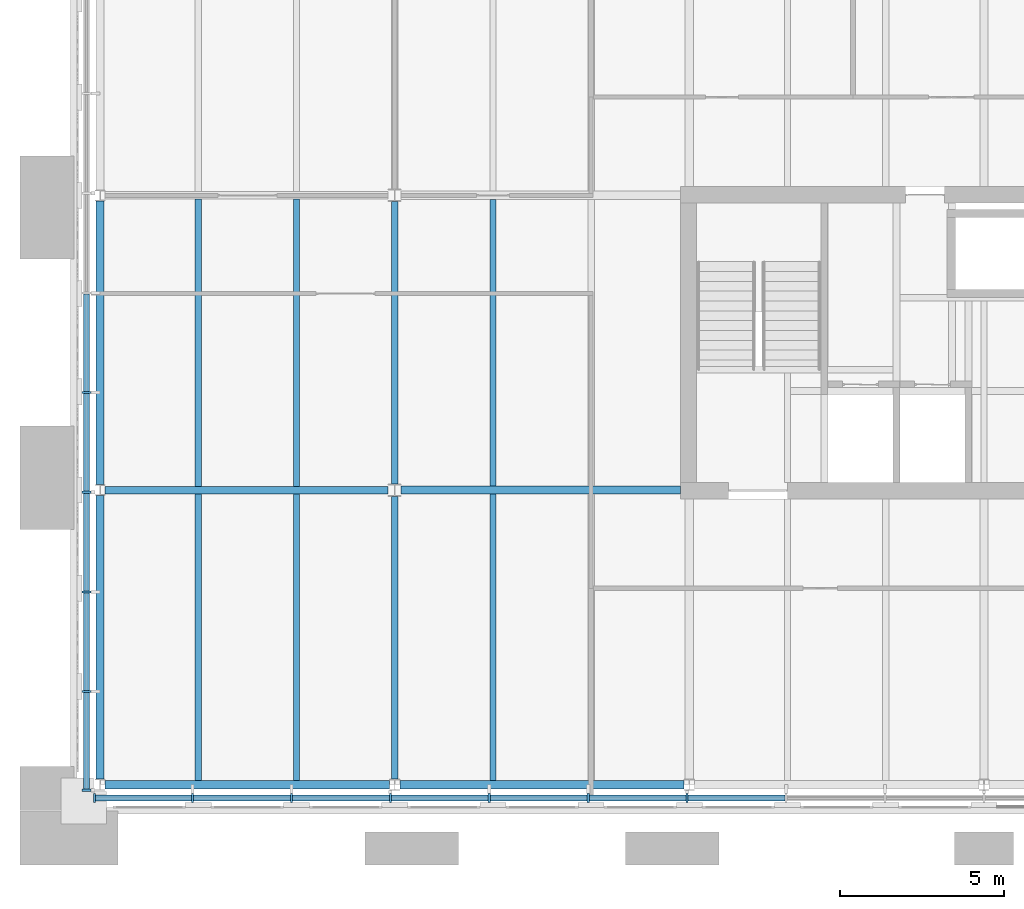
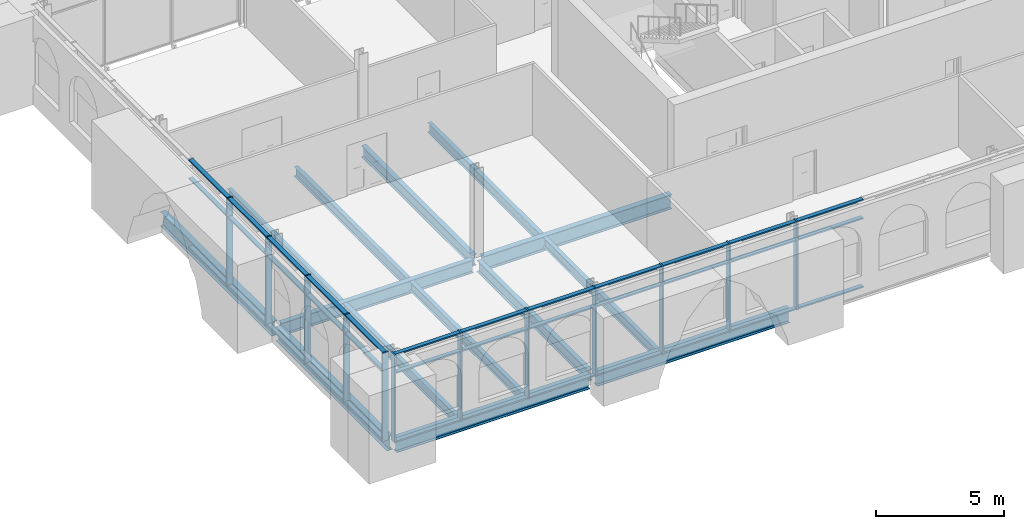
# One storey, part 3 of 22: 48 members, 14 beams, 2 elements without a shape of their own.
"""IFC4 building model written with IfcOpenShell, lengths in metres."""

from ifc_helpers import new_model, si_unit, direction, frame, origin, origin_2d, place, context, subcontext, project, spatial, rectangle, i_section, extrude, material, material_profile, profile_set, type_object, element, aggregate, save


model = new_model("IFC4")

# Units and contexts
model_context = context("Model", 3, precision=1e-05, world=origin(), true_north=direction((0.0, 1.0)))
body_context = subcontext(model_context, "Body", "Model", "MODEL_VIEW")
ifc_project = project(units=[si_unit("LENGTHUNIT", "METRE"), si_unit("AREAUNIT", "SQUARE_METRE"), si_unit("VOLUMEUNIT", "CUBIC_METRE"), si_unit("PLANEANGLEUNIT", "RADIAN"), si_unit("MASSUNIT", "GRAM", prefix="KILO")], contexts=[model_context])

# Site, building, storey
site_placement = place(None, origin())
site = spatial("IfcSite", under=ifc_project, at=site_placement, CompositionType="ELEMENT")
building_placement = place(site_placement, origin())
building = spatial("IfcBuilding", under=site, at=building_placement, Name="Baradari Gate Terminus", CompositionType="ELEMENT")
storey_placement = place(building_placement, frame((0.0, 0.0, 28.5)))
storey = spatial("IfcBuildingStorey", under=building, at=storey_placement, Name="L06", CompositionType="ELEMENT", Elevation=28.5)

# Curtain wall, members
ifc_material_1 = material(Name="Aluminium 6063-T6", Category="aluminium")
curtain_wall_type = type_object("IfcCurtainWallType", Name="Curtain wall CW-12 block arcade floors, L06-L07", PredefinedType="NOTDEFINED", material=ifc_material_1)
curtain_wall_1_placement = place(storey_placement, origin())
curtain_wall_1 = element("IfcCurtainWall", 1, at=curtain_wall_1_placement, inside=storey, type_object=curtain_wall_type, Name="Curtain wall CW-12 Operations block S face L06", PredefinedType="NOTDEFINED")
ifc_material_2 = material(Name="Aluminium 6063-T6", Category="aluminium")
ifc_material_profile_1 = material_profile(ifc_material_2, rectangle(XDim=0.27490234375, YDim=0.06494140625, at=origin_2d()), Name="CM-12 65X275")
ifc_profile_set_1 = profile_set([ifc_material_profile_1], Name="Aluminium 6063-T6")
member_type_1 = type_object("IfcMemberType", Name="Curtain wall mullion CM-12 65x275", PredefinedType="MULLION", material=ifc_profile_set_1)
member_1_placement = place(storey_placement, frame((8.83251953125, 116.592529296875, 0.0), z_axis=(0.0, 0.0, 1.0), x_axis=(0.0, 1.0, 0.0)))
member_1 = element("IfcMember", 2, at=member_1_placement, type_object=member_type_1, Name="CW-12 mullion 1", PredefinedType="MULLION", context=body_context, shape_type="SweptSolid", body=[
    extrude(rectangle(XDim=0.27490234375, YDim=0.06494140625, at=origin_2d()), origin(), (0.0, 0.0, 1.0), 4.199951171875),
])
member_2_placement = place(storey_placement, frame((11.822265625, 116.592529296875, 0.0), z_axis=(0.0, 0.0, 1.0), x_axis=(0.0, 1.0, 0.0)))
member_2 = element("IfcMember", 3, at=member_2_placement, type_object=member_type_1, Name="CW-12 mullion 2", PredefinedType="MULLION", context=body_context, shape_type="SweptSolid", body=[
    extrude(rectangle(XDim=0.27490234375, YDim=0.06494140625, at=origin_2d()), origin(), (0.0, 0.0, 1.0), 4.199951171875),
])
member_3_placement = place(storey_placement, frame((14.844482421875, 116.592529296875, 0.0), z_axis=(0.0, 0.0, 1.0), x_axis=(0.0, 1.0, 0.0)))
member_3 = element("IfcMember", 4, at=member_3_placement, type_object=member_type_1, Name="CW-12 mullion 3", PredefinedType="MULLION", context=body_context, shape_type="SweptSolid", body=[
    extrude(rectangle(XDim=0.27490234375, YDim=0.06494140625, at=origin_2d()), origin(), (0.0, 0.0, 1.0), 4.199951171875),
])
member_4_placement = place(storey_placement, frame((17.86669921875, 116.592529296875, 0.0), z_axis=(0.0, 0.0, 1.0), x_axis=(0.0, 1.0, 0.0)))
member_4 = element("IfcMember", 5, at=member_4_placement, type_object=member_type_1, Name="CW-12 mullion 4", PredefinedType="MULLION", context=body_context, shape_type="SweptSolid", body=[
    extrude(rectangle(XDim=0.27490234375, YDim=0.06494140625, at=origin_2d()), origin(), (0.0, 0.0, 1.0), 4.199951171875),
])
member_5_placement = place(storey_placement, frame((20.888916015625, 116.592529296875, 0.0), z_axis=(0.0, 0.0, 1.0), x_axis=(0.0, 1.0, 0.0)))
member_5 = element("IfcMember", 6, at=member_5_placement, type_object=member_type_1, Name="CW-12 mullion 5", PredefinedType="MULLION", context=body_context, shape_type="SweptSolid", body=[
    extrude(rectangle(XDim=0.27490234375, YDim=0.06494140625, at=origin_2d()), origin(), (0.0, 0.0, 1.0), 4.199951171875),
])
member_6_placement = place(storey_placement, frame((23.9111328125, 116.592529296875, 0.0), z_axis=(0.0, 0.0, 1.0), x_axis=(0.0, 1.0, 0.0)))
member_6 = element("IfcMember", 7, at=member_6_placement, type_object=member_type_1, Name="CW-12 mullion 6", PredefinedType="MULLION", context=body_context, shape_type="SweptSolid", body=[
    extrude(rectangle(XDim=0.27490234375, YDim=0.06494140625, at=origin_2d()), origin(), (0.0, 0.0, 1.0), 4.199951171875),
])
member_7_placement = place(storey_placement, frame((26.933349609375, 116.592529296875, 0.0), z_axis=(0.0, 0.0, 1.0), x_axis=(0.0, 1.0, 0.0)))
member_7 = element("IfcMember", 8, at=member_7_placement, type_object=member_type_1, Name="CW-12 mullion 7", PredefinedType="MULLION", context=body_context, shape_type="SweptSolid", body=[
    extrude(rectangle(XDim=0.27490234375, YDim=0.06494140625, at=origin_2d()), origin(), (0.0, 0.0, 1.0), 4.199951171875),
])

curtain_wall_2_placement = place(storey_placement, origin())
curtain_wall_2 = element("IfcCurtainWall", 9, at=curtain_wall_2_placement, inside=storey, type_object=curtain_wall_type, Name="Curtain wall CW-12 Operations block W face L06", PredefinedType="NOTDEFINED")
member_8_placement = place(storey_placement, frame((8.592529296875, 128.977783203125, 0.0), z_axis=(0.0, 0.0, 1.0), x_axis=(1.0, 0.0, 0.0)))
member_8 = element("IfcMember", 10, at=member_8_placement, type_object=member_type_1, Name="CW-12 mullion 6", PredefinedType="MULLION", context=body_context, shape_type="SweptSolid", body=[
    extrude(rectangle(XDim=0.27490234375, YDim=0.06494140625, at=origin_2d()), origin(), (0.0, 0.0, 1.0), 4.199951171875),
])
member_9_placement = place(storey_placement, frame((8.592529296875, 125.933349609375, 0.0), z_axis=(0.0, 0.0, 1.0), x_axis=(1.0, 0.0, 0.0)))
member_9 = element("IfcMember", 11, at=member_9_placement, type_object=member_type_1, Name="CW-12 mullion 7", PredefinedType="MULLION", context=body_context, shape_type="SweptSolid", body=[
    extrude(rectangle(XDim=0.27490234375, YDim=0.06494140625, at=origin_2d()), origin(), (0.0, 0.0, 1.0), 4.199951171875),
])
member_10_placement = place(storey_placement, frame((8.592529296875, 122.888916015625, 0.0), z_axis=(0.0, 0.0, 1.0), x_axis=(1.0, 0.0, 0.0)))
member_10 = element("IfcMember", 12, at=member_10_placement, type_object=member_type_1, Name="CW-12 mullion 8", PredefinedType="MULLION", context=body_context, shape_type="SweptSolid", body=[
    extrude(rectangle(XDim=0.27490234375, YDim=0.06494140625, at=origin_2d()), origin(), (0.0, 0.0, 1.0), 4.199951171875),
])
member_11_placement = place(storey_placement, frame((8.592529296875, 119.844482421875, 0.0), z_axis=(0.0, 0.0, 1.0), x_axis=(1.0, 0.0, 0.0)))
member_11 = element("IfcMember", 13, at=member_11_placement, type_object=member_type_1, Name="CW-12 mullion 9", PredefinedType="MULLION", context=body_context, shape_type="SweptSolid", body=[
    extrude(rectangle(XDim=0.27490234375, YDim=0.06494140625, at=origin_2d()), origin(), (0.0, 0.0, 1.0), 4.199951171875),
])
member_12_placement = place(storey_placement, frame((8.592529296875, 116.83251953125, 0.0), z_axis=(0.0, 0.0, 1.0), x_axis=(1.0, 0.0, 0.0)))
member_12 = element("IfcMember", 14, at=member_12_placement, type_object=member_type_1, Name="CW-12 mullion 10", PredefinedType="MULLION", context=body_context, shape_type="SweptSolid", body=[
    extrude(rectangle(XDim=0.27490234375, YDim=0.06494140625, at=origin_2d()), origin(), (0.0, 0.0, 1.0), 4.199951171875),
])

# Member
ifc_material_3 = material(Name="Aluminium 6063-T6", Category="aluminium")
ifc_material_profile_2 = material_profile(ifc_material_3, rectangle(XDim=0.18505859375, YDim=0.06494140625, at=origin_2d()), Name="CT-12 65X185")
ifc_profile_set_2 = profile_set([ifc_material_profile_2], Name="Aluminium 6063-T6")
member_type_2 = type_object("IfcMemberType", Name="Curtain wall transom CT-12 65x185", PredefinedType="USERDEFINED", material=ifc_profile_set_2)
member_13_placement = place(storey_placement, frame((8.864990234375, 116.592529296875, 0.032470703125), z_axis=(1.0, 0.0, 0.0), x_axis=(0.0, 1.0, 0.0)))
member_13 = element("IfcMember", 15, at=member_13_placement, type_object=member_type_2, Name="CW-12 transom 1.1", ObjectType="TRANSOM", PredefinedType="USERDEFINED", context=body_context, shape_type="SweptSolid", body=[
    extrude(rectangle(XDim=0.18505859375, YDim=0.06494140625, at=origin_2d()), origin(), (0.0, 0.0, 1.0), 2.9248046875),
])

member_14_placement = place(storey_placement, frame((8.864990234375, 116.592529296875, 3.300048828125), z_axis=(1.0, 0.0, 0.0), x_axis=(0.0, 1.0, 0.0)))
member_14 = element("IfcMember", 16, at=member_14_placement, type_object=member_type_2, Name="CW-12 transom 1.2", ObjectType="TRANSOM", PredefinedType="USERDEFINED", context=body_context, shape_type="SweptSolid", body=[
    extrude(rectangle(XDim=0.18505859375, YDim=0.06494140625, at=origin_2d()), origin(), (0.0, 0.0, 1.0), 2.9248046875),
])

member_15_placement = place(storey_placement, frame((8.864990234375, 116.592529296875, 4.16748046875), z_axis=(1.0, 0.0, 0.0), x_axis=(0.0, 1.0, 0.0)))
member_15 = element("IfcMember", 17, at=member_15_placement, type_object=member_type_2, Name="CW-12 transom 1.3", ObjectType="TRANSOM", PredefinedType="USERDEFINED", context=body_context, shape_type="SweptSolid", body=[
    extrude(rectangle(XDim=0.18505859375, YDim=0.06494140625, at=origin_2d()), origin(), (0.0, 0.0, 1.0), 2.9248046875),
])

member_16_placement = place(storey_placement, frame((11.854736328125, 116.592529296875, 0.032470703125), z_axis=(1.0, 0.0, 0.0), x_axis=(0.0, 1.0, 0.0)))
member_16 = element("IfcMember", 18, at=member_16_placement, type_object=member_type_2, Name="CW-12 transom 2.1", ObjectType="TRANSOM", PredefinedType="USERDEFINED", context=body_context, shape_type="SweptSolid", body=[
    extrude(rectangle(XDim=0.18505859375, YDim=0.06494140625, at=origin_2d()), origin(), (0.0, 0.0, 1.0), 2.957275390625),
])

member_17_placement = place(storey_placement, frame((11.854736328125, 116.592529296875, 3.300048828125), z_axis=(1.0, 0.0, 0.0), x_axis=(0.0, 1.0, 0.0)))
member_17 = element("IfcMember", 19, at=member_17_placement, type_object=member_type_2, Name="CW-12 transom 2.2", ObjectType="TRANSOM", PredefinedType="USERDEFINED", context=body_context, shape_type="SweptSolid", body=[
    extrude(rectangle(XDim=0.18505859375, YDim=0.06494140625, at=origin_2d()), origin(), (0.0, 0.0, 1.0), 2.957275390625),
])

member_18_placement = place(storey_placement, frame((11.854736328125, 116.592529296875, 4.16748046875), z_axis=(1.0, 0.0, 0.0), x_axis=(0.0, 1.0, 0.0)))
member_18 = element("IfcMember", 20, at=member_18_placement, type_object=member_type_2, Name="CW-12 transom 2.3", ObjectType="TRANSOM", PredefinedType="USERDEFINED", context=body_context, shape_type="SweptSolid", body=[
    extrude(rectangle(XDim=0.18505859375, YDim=0.06494140625, at=origin_2d()), origin(), (0.0, 0.0, 1.0), 2.957275390625),
])

member_19_placement = place(storey_placement, frame((14.876953125, 116.592529296875, 0.032470703125), z_axis=(1.0, 0.0, 0.0), x_axis=(0.0, 1.0, 0.0)))
member_19 = element("IfcMember", 21, at=member_19_placement, type_object=member_type_2, Name="CW-12 transom 3.1", ObjectType="TRANSOM", PredefinedType="USERDEFINED", context=body_context, shape_type="SweptSolid", body=[
    extrude(rectangle(XDim=0.18505859375, YDim=0.06494140625, at=origin_2d()), origin(), (0.0, 0.0, 1.0), 2.957275390625),
])

member_20_placement = place(storey_placement, frame((14.876953125, 116.592529296875, 3.300048828125), z_axis=(1.0, 0.0, 0.0), x_axis=(0.0, 1.0, 0.0)))
member_20 = element("IfcMember", 22, at=member_20_placement, type_object=member_type_2, Name="CW-12 transom 3.2", ObjectType="TRANSOM", PredefinedType="USERDEFINED", context=body_context, shape_type="SweptSolid", body=[
    extrude(rectangle(XDim=0.18505859375, YDim=0.06494140625, at=origin_2d()), origin(), (0.0, 0.0, 1.0), 2.957275390625),
])

member_21_placement = place(storey_placement, frame((14.876953125, 116.592529296875, 4.16748046875), z_axis=(1.0, 0.0, 0.0), x_axis=(0.0, 1.0, 0.0)))
member_21 = element("IfcMember", 23, at=member_21_placement, type_object=member_type_2, Name="CW-12 transom 3.3", ObjectType="TRANSOM", PredefinedType="USERDEFINED", context=body_context, shape_type="SweptSolid", body=[
    extrude(rectangle(XDim=0.18505859375, YDim=0.06494140625, at=origin_2d()), origin(), (0.0, 0.0, 1.0), 2.957275390625),
])

member_22_placement = place(storey_placement, frame((17.899169921875, 116.592529296875, 0.032470703125), z_axis=(1.0, 0.0, 0.0), x_axis=(0.0, 1.0, 0.0)))
member_22 = element("IfcMember", 24, at=member_22_placement, type_object=member_type_2, Name="CW-12 transom 4.1", ObjectType="TRANSOM", PredefinedType="USERDEFINED", context=body_context, shape_type="SweptSolid", body=[
    extrude(rectangle(XDim=0.18505859375, YDim=0.06494140625, at=origin_2d()), origin(), (0.0, 0.0, 1.0), 2.957275390625),
])

member_23_placement = place(storey_placement, frame((17.899169921875, 116.592529296875, 3.300048828125), z_axis=(1.0, 0.0, 0.0), x_axis=(0.0, 1.0, 0.0)))
member_23 = element("IfcMember", 25, at=member_23_placement, type_object=member_type_2, Name="CW-12 transom 4.2", ObjectType="TRANSOM", PredefinedType="USERDEFINED", context=body_context, shape_type="SweptSolid", body=[
    extrude(rectangle(XDim=0.18505859375, YDim=0.06494140625, at=origin_2d()), origin(), (0.0, 0.0, 1.0), 2.957275390625),
])

member_24_placement = place(storey_placement, frame((17.899169921875, 116.592529296875, 4.16748046875), z_axis=(1.0, 0.0, 0.0), x_axis=(0.0, 1.0, 0.0)))
member_24 = element("IfcMember", 26, at=member_24_placement, type_object=member_type_2, Name="CW-12 transom 4.3", ObjectType="TRANSOM", PredefinedType="USERDEFINED", context=body_context, shape_type="SweptSolid", body=[
    extrude(rectangle(XDim=0.18505859375, YDim=0.06494140625, at=origin_2d()), origin(), (0.0, 0.0, 1.0), 2.957275390625),
])

member_25_placement = place(storey_placement, frame((20.92138671875, 116.592529296875, 0.032470703125), z_axis=(1.0, 0.0, 0.0), x_axis=(0.0, 1.0, 0.0)))
member_25 = element("IfcMember", 27, at=member_25_placement, type_object=member_type_2, Name="CW-12 transom 5.1", ObjectType="TRANSOM", PredefinedType="USERDEFINED", context=body_context, shape_type="SweptSolid", body=[
    extrude(rectangle(XDim=0.18505859375, YDim=0.06494140625, at=origin_2d()), origin(), (0.0, 0.0, 1.0), 2.957275390625),
])

member_26_placement = place(storey_placement, frame((20.92138671875, 116.592529296875, 3.300048828125), z_axis=(1.0, 0.0, 0.0), x_axis=(0.0, 1.0, 0.0)))
member_26 = element("IfcMember", 28, at=member_26_placement, type_object=member_type_2, Name="CW-12 transom 5.2", ObjectType="TRANSOM", PredefinedType="USERDEFINED", context=body_context, shape_type="SweptSolid", body=[
    extrude(rectangle(XDim=0.18505859375, YDim=0.06494140625, at=origin_2d()), origin(), (0.0, 0.0, 1.0), 2.957275390625),
])

member_27_placement = place(storey_placement, frame((20.92138671875, 116.592529296875, 4.16748046875), z_axis=(1.0, 0.0, 0.0), x_axis=(0.0, 1.0, 0.0)))
member_27 = element("IfcMember", 29, at=member_27_placement, type_object=member_type_2, Name="CW-12 transom 5.3", ObjectType="TRANSOM", PredefinedType="USERDEFINED", context=body_context, shape_type="SweptSolid", body=[
    extrude(rectangle(XDim=0.18505859375, YDim=0.06494140625, at=origin_2d()), origin(), (0.0, 0.0, 1.0), 2.957275390625),
])

member_28_placement = place(storey_placement, frame((23.943603515625, 116.592529296875, 0.032470703125), z_axis=(1.0, 0.0, 0.0), x_axis=(0.0, 1.0, 0.0)))
member_28 = element("IfcMember", 30, at=member_28_placement, type_object=member_type_2, Name="CW-12 transom 6.1", ObjectType="TRANSOM", PredefinedType="USERDEFINED", context=body_context, shape_type="SweptSolid", body=[
    extrude(rectangle(XDim=0.18505859375, YDim=0.06494140625, at=origin_2d()), origin(), (0.0, 0.0, 1.0), 2.957275390625),
])

member_29_placement = place(storey_placement, frame((23.943603515625, 116.592529296875, 3.300048828125), z_axis=(1.0, 0.0, 0.0), x_axis=(0.0, 1.0, 0.0)))
member_29 = element("IfcMember", 31, at=member_29_placement, type_object=member_type_2, Name="CW-12 transom 6.2", ObjectType="TRANSOM", PredefinedType="USERDEFINED", context=body_context, shape_type="SweptSolid", body=[
    extrude(rectangle(XDim=0.18505859375, YDim=0.06494140625, at=origin_2d()), origin(), (0.0, 0.0, 1.0), 2.957275390625),
])

member_30_placement = place(storey_placement, frame((23.943603515625, 116.592529296875, 4.16748046875), z_axis=(1.0, 0.0, 0.0), x_axis=(0.0, 1.0, 0.0)))
member_30 = element("IfcMember", 32, at=member_30_placement, type_object=member_type_2, Name="CW-12 transom 6.3", ObjectType="TRANSOM", PredefinedType="USERDEFINED", context=body_context, shape_type="SweptSolid", body=[
    extrude(rectangle(XDim=0.18505859375, YDim=0.06494140625, at=origin_2d()), origin(), (0.0, 0.0, 1.0), 2.957275390625),
])

member_31_placement = place(storey_placement, frame((26.9658203125, 116.592529296875, 0.032470703125), z_axis=(1.0, 0.0, 0.0), x_axis=(0.0, 1.0, 0.0)))
member_31 = element("IfcMember", 33, at=member_31_placement, type_object=member_type_2, Name="CW-12 transom 7.1", ObjectType="TRANSOM", PredefinedType="USERDEFINED", context=body_context, shape_type="SweptSolid", body=[
    extrude(rectangle(XDim=0.18505859375, YDim=0.06494140625, at=origin_2d()), origin(), (0.0, 0.0, 1.0), 2.957275390625),
])

member_32_placement = place(storey_placement, frame((26.9658203125, 116.592529296875, 3.300048828125), z_axis=(1.0, 0.0, 0.0), x_axis=(0.0, 1.0, 0.0)))
member_32 = element("IfcMember", 34, at=member_32_placement, type_object=member_type_2, Name="CW-12 transom 7.2", ObjectType="TRANSOM", PredefinedType="USERDEFINED", context=body_context, shape_type="SweptSolid", body=[
    extrude(rectangle(XDim=0.18505859375, YDim=0.06494140625, at=origin_2d()), origin(), (0.0, 0.0, 1.0), 2.957275390625),
])

member_33_placement = place(storey_placement, frame((26.9658203125, 116.592529296875, 4.16748046875), z_axis=(1.0, 0.0, 0.0), x_axis=(0.0, 1.0, 0.0)))
member_33 = element("IfcMember", 35, at=member_33_placement, type_object=member_type_2, Name="CW-12 transom 7.3", ObjectType="TRANSOM", PredefinedType="USERDEFINED", context=body_context, shape_type="SweptSolid", body=[
    extrude(rectangle(XDim=0.18505859375, YDim=0.06494140625, at=origin_2d()), origin(), (0.0, 0.0, 1.0), 2.957275390625),
])

aggregate(curtain_wall_1, [member_1, member_2, member_3, member_4, member_5, member_6, member_7, member_13, member_14, member_15, member_16, member_17, member_18, member_19, member_20, member_21, member_22, member_23, member_24, member_25, member_26, member_27, member_28, member_29, member_30, member_31, member_32, member_33])

member_34_placement = place(storey_placement, frame((8.592529296875, 131.98974609375, 0.032470703125), z_axis=(0.0, -1.0, 0.0), x_axis=(1.0, 0.0, 0.0)))
member_34 = element("IfcMember", 36, at=member_34_placement, type_object=member_type_2, Name="CW-12 transom 5.1", ObjectType="TRANSOM", PredefinedType="USERDEFINED", context=body_context, shape_type="SweptSolid", body=[
    extrude(rectangle(XDim=0.18505859375, YDim=0.06494140625, at=origin_2d()), origin(), (0.0, 0.0, 1.0), 2.9794921875),
])

member_35_placement = place(storey_placement, frame((8.592529296875, 131.98974609375, 3.300048828125), z_axis=(0.0, -1.0, 0.0), x_axis=(1.0, 0.0, 0.0)))
member_35 = element("IfcMember", 37, at=member_35_placement, type_object=member_type_2, Name="CW-12 transom 5.2", ObjectType="TRANSOM", PredefinedType="USERDEFINED", context=body_context, shape_type="SweptSolid", body=[
    extrude(rectangle(XDim=0.18505859375, YDim=0.06494140625, at=origin_2d()), origin(), (0.0, 0.0, 1.0), 2.9794921875),
])

member_36_placement = place(storey_placement, frame((8.592529296875, 131.98974609375, 4.16748046875), z_axis=(0.0, -1.0, 0.0), x_axis=(1.0, 0.0, 0.0)))
member_36 = element("IfcMember", 38, at=member_36_placement, type_object=member_type_2, Name="CW-12 transom 5.3", ObjectType="TRANSOM", PredefinedType="USERDEFINED", context=body_context, shape_type="SweptSolid", body=[
    extrude(rectangle(XDim=0.18505859375, YDim=0.06494140625, at=origin_2d()), origin(), (0.0, 0.0, 1.0), 2.9794921875),
])

member_37_placement = place(storey_placement, frame((8.592529296875, 128.9453125, 0.032470703125), z_axis=(0.0, -1.0, 0.0), x_axis=(1.0, 0.0, 0.0)))
member_37 = element("IfcMember", 39, at=member_37_placement, type_object=member_type_2, Name="CW-12 transom 6.1", ObjectType="TRANSOM", PredefinedType="USERDEFINED", context=body_context, shape_type="SweptSolid", body=[
    extrude(rectangle(XDim=0.18505859375, YDim=0.06494140625, at=origin_2d()), origin(), (0.0, 0.0, 1.0), 2.9794921875),
])

member_38_placement = place(storey_placement, frame((8.592529296875, 128.9453125, 3.300048828125), z_axis=(0.0, -1.0, 0.0), x_axis=(1.0, 0.0, 0.0)))
member_38 = element("IfcMember", 40, at=member_38_placement, type_object=member_type_2, Name="CW-12 transom 6.2", ObjectType="TRANSOM", PredefinedType="USERDEFINED", context=body_context, shape_type="SweptSolid", body=[
    extrude(rectangle(XDim=0.18505859375, YDim=0.06494140625, at=origin_2d()), origin(), (0.0, 0.0, 1.0), 2.9794921875),
])

member_39_placement = place(storey_placement, frame((8.592529296875, 128.9453125, 4.16748046875), z_axis=(0.0, -1.0, 0.0), x_axis=(1.0, 0.0, 0.0)))
member_39 = element("IfcMember", 41, at=member_39_placement, type_object=member_type_2, Name="CW-12 transom 6.3", ObjectType="TRANSOM", PredefinedType="USERDEFINED", context=body_context, shape_type="SweptSolid", body=[
    extrude(rectangle(XDim=0.18505859375, YDim=0.06494140625, at=origin_2d()), origin(), (0.0, 0.0, 1.0), 2.9794921875),
])

member_40_placement = place(storey_placement, frame((8.592529296875, 125.90087890625, 0.032470703125), z_axis=(0.0, -1.0, 0.0), x_axis=(1.0, 0.0, 0.0)))
member_40 = element("IfcMember", 42, at=member_40_placement, type_object=member_type_2, Name="CW-12 transom 7.1", ObjectType="TRANSOM", PredefinedType="USERDEFINED", context=body_context, shape_type="SweptSolid", body=[
    extrude(rectangle(XDim=0.18505859375, YDim=0.06494140625, at=origin_2d()), origin(), (0.0, 0.0, 1.0), 2.9794921875),
])

member_41_placement = place(storey_placement, frame((8.592529296875, 125.90087890625, 3.300048828125), z_axis=(0.0, -1.0, 0.0), x_axis=(1.0, 0.0, 0.0)))
member_41 = element("IfcMember", 43, at=member_41_placement, type_object=member_type_2, Name="CW-12 transom 7.2", ObjectType="TRANSOM", PredefinedType="USERDEFINED", context=body_context, shape_type="SweptSolid", body=[
    extrude(rectangle(XDim=0.18505859375, YDim=0.06494140625, at=origin_2d()), origin(), (0.0, 0.0, 1.0), 2.9794921875),
])

member_42_placement = place(storey_placement, frame((8.592529296875, 125.90087890625, 4.16748046875), z_axis=(0.0, -1.0, 0.0), x_axis=(1.0, 0.0, 0.0)))
member_42 = element("IfcMember", 44, at=member_42_placement, type_object=member_type_2, Name="CW-12 transom 7.3", ObjectType="TRANSOM", PredefinedType="USERDEFINED", context=body_context, shape_type="SweptSolid", body=[
    extrude(rectangle(XDim=0.18505859375, YDim=0.06494140625, at=origin_2d()), origin(), (0.0, 0.0, 1.0), 2.9794921875),
])

member_43_placement = place(storey_placement, frame((8.592529296875, 122.8564453125, 0.032470703125), z_axis=(0.0, -1.0, 0.0), x_axis=(1.0, 0.0, 0.0)))
member_43 = element("IfcMember", 45, at=member_43_placement, type_object=member_type_2, Name="CW-12 transom 8.1", ObjectType="TRANSOM", PredefinedType="USERDEFINED", context=body_context, shape_type="SweptSolid", body=[
    extrude(rectangle(XDim=0.18505859375, YDim=0.06494140625, at=origin_2d()), origin(), (0.0, 0.0, 1.0), 2.9794921875),
])

member_44_placement = place(storey_placement, frame((8.592529296875, 122.8564453125, 3.300048828125), z_axis=(0.0, -1.0, 0.0), x_axis=(1.0, 0.0, 0.0)))
member_44 = element("IfcMember", 46, at=member_44_placement, type_object=member_type_2, Name="CW-12 transom 8.2", ObjectType="TRANSOM", PredefinedType="USERDEFINED", context=body_context, shape_type="SweptSolid", body=[
    extrude(rectangle(XDim=0.18505859375, YDim=0.06494140625, at=origin_2d()), origin(), (0.0, 0.0, 1.0), 2.9794921875),
])

member_45_placement = place(storey_placement, frame((8.592529296875, 122.8564453125, 4.16748046875), z_axis=(0.0, -1.0, 0.0), x_axis=(1.0, 0.0, 0.0)))
member_45 = element("IfcMember", 47, at=member_45_placement, type_object=member_type_2, Name="CW-12 transom 8.3", ObjectType="TRANSOM", PredefinedType="USERDEFINED", context=body_context, shape_type="SweptSolid", body=[
    extrude(rectangle(XDim=0.18505859375, YDim=0.06494140625, at=origin_2d()), origin(), (0.0, 0.0, 1.0), 2.9794921875),
])

member_46_placement = place(storey_placement, frame((8.592529296875, 119.81201171875, 0.032470703125), z_axis=(0.0, -1.0, 0.0), x_axis=(1.0, 0.0, 0.0)))
member_46 = element("IfcMember", 48, at=member_46_placement, type_object=member_type_2, Name="CW-12 transom 9.1", ObjectType="TRANSOM", PredefinedType="USERDEFINED", context=body_context, shape_type="SweptSolid", body=[
    extrude(rectangle(XDim=0.18505859375, YDim=0.06494140625, at=origin_2d()), origin(), (0.0, 0.0, 1.0), 2.947021484375),
])

member_47_placement = place(storey_placement, frame((8.592529296875, 119.81201171875, 3.300048828125), z_axis=(0.0, -1.0, 0.0), x_axis=(1.0, 0.0, 0.0)))
member_47 = element("IfcMember", 49, at=member_47_placement, type_object=member_type_2, Name="CW-12 transom 9.2", ObjectType="TRANSOM", PredefinedType="USERDEFINED", context=body_context, shape_type="SweptSolid", body=[
    extrude(rectangle(XDim=0.18505859375, YDim=0.06494140625, at=origin_2d()), origin(), (0.0, 0.0, 1.0), 2.947021484375),
])

member_48_placement = place(storey_placement, frame((8.592529296875, 119.81201171875, 4.16748046875), z_axis=(0.0, -1.0, 0.0), x_axis=(1.0, 0.0, 0.0)))
member_48 = element("IfcMember", 50, at=member_48_placement, type_object=member_type_2, Name="CW-12 transom 9.3", ObjectType="TRANSOM", PredefinedType="USERDEFINED", context=body_context, shape_type="SweptSolid", body=[
    extrude(rectangle(XDim=0.18505859375, YDim=0.06494140625, at=origin_2d()), origin(), (0.0, 0.0, 1.0), 2.947021484375),
])

aggregate(curtain_wall_2, [member_8, member_9, member_10, member_11, member_12, member_34, member_35, member_36, member_37, member_38, member_39, member_40, member_41, member_42, member_43, member_44, member_45, member_46, member_47, member_48])

# Beams
ifc_material_4 = material(Name="Steel S355", Category="steel")
ifc_material_profile_3 = material_profile(ifc_material_4, i_section(OverallWidth=0.25439453125, OverallDepth=0.6875, WebThickness=0.01318359375, FlangeThickness=0.02099609375, FilletRadius=0.01513671875, at=origin_2d()), Name="UB 686x254x152")
ifc_profile_set_3 = profile_set([ifc_material_profile_3], Name="Steel S355")
beam_type_1 = type_object("IfcBeamType", Name="Operations block coupling beam B26 UB 686x254x152", PredefinedType="BEAM", material=ifc_profile_set_3)
beam_1_placement = place(storey_placement, frame((18.197509765625, 126.0, -0.4736328125), z_axis=(1.0, 0.0, 0.0), x_axis=(0.0, 1.0, 0.0)))
element("IfcBeam", 51, at=beam_1_placement, inside=storey, type_object=beam_type_1, Name="Operations block coupling beam B26 Q:18.197-26.725 L06", PredefinedType="BEAM", context=body_context, shape_type="SweptSolid", body=[
    extrude(i_section(OverallWidth=0.25439453125, OverallDepth=0.6875, WebThickness=0.01318359375, FlangeThickness=0.02099609375, FilletRadius=0.01513671875, at=origin_2d()), origin(), (0.0, 0.0, 1.0), 8.527587890625),
])
ifc_material_5 = material(Name="Steel S355", Category="steel")
ifc_material_profile_4 = material_profile(ifc_material_5, i_section(OverallWidth=0.22900390625, OverallDepth=0.6123046875, WebThickness=0.011962890625, FlangeThickness=0.01953125, FilletRadius=0.0126953125, at=origin_2d()), Name="UB 610x229x125")
ifc_profile_set_4 = profile_set([ifc_material_profile_4], Name="Steel S355")
beam_type_2 = type_object("IfcBeamType", Name="Operations block girder B25 UB 610x229x125", PredefinedType="BEAM", material=ifc_profile_set_4)
beam_2_placement = place(storey_placement, frame((9.1572265625, 126.0, -0.43603515625), z_axis=(1.0, 0.0, 0.0), x_axis=(0.0, 1.0, 0.0)))
element("IfcBeam", 52, at=beam_2_placement, inside=storey, type_object=beam_type_2, Name="Operations block girder B25 Q:9.157-17.803 L06", PredefinedType="BEAM", context=body_context, shape_type="SweptSolid", body=[
    extrude(i_section(OverallWidth=0.22900390625, OverallDepth=0.6123046875, WebThickness=0.011962890625, FlangeThickness=0.01953125, FilletRadius=0.0126953125, at=origin_2d()), origin(), (0.0, 0.0, 1.0), 8.645263671875),
])
ifc_material_6 = material(Name="Steel S355", Category="steel")
ifc_material_profile_5 = material_profile(ifc_material_6, i_section(OverallWidth=0.210693359375, OverallDepth=0.53955078125, WebThickness=0.01171875, FlangeThickness=0.018798828125, FilletRadius=0.0126953125, at=origin_2d()), Name="UB 533x210x109")
ifc_profile_set_5 = profile_set([ifc_material_profile_5], Name="Steel S355")
beam_type_3 = type_object("IfcBeamType", Name="Operations block girder B29 UB 533x210x109", PredefinedType="BEAM", material=ifc_profile_set_5)
beam_3_placement = place(storey_placement, frame((18.0, 117.169921875, -0.399658203125), z_axis=(0.0, 1.0, 0.0), x_axis=(-1.0, 0.0, 0.0)))
element("IfcBeam", 53, at=beam_3_placement, inside=storey, type_object=beam_type_3, Name="Operations block girder B29 3:117.17-125.809 L06", PredefinedType="BEAM", context=body_context, shape_type="SweptSolid", body=[
    extrude(i_section(OverallWidth=0.210693359375, OverallDepth=0.53955078125, WebThickness=0.01171875, FlangeThickness=0.018798828125, FilletRadius=0.0126953125, at=origin_2d()), origin(), (0.0, 0.0, 1.0), 8.6396484375),
])
beam_4_placement = place(storey_placement, frame((18.0, 126.1904296875, -0.399658203125), z_axis=(0.0, 1.0, 0.0), x_axis=(-1.0, 0.0, 0.0)))
element("IfcBeam", 54, at=beam_4_placement, inside=storey, type_object=beam_type_3, Name="Operations block girder B29 3:126.191-134.81 L06", PredefinedType="BEAM", context=body_context, shape_type="SweptSolid", body=[
    extrude(i_section(OverallWidth=0.210693359375, OverallDepth=0.53955078125, WebThickness=0.01171875, FlangeThickness=0.018798828125, FilletRadius=0.0126953125, at=origin_2d()), origin(), (0.0, 0.0, 1.0), 8.619140625),
])
ifc_material_7 = material(Name="Steel S355", Category="steel")
ifc_material_profile_6 = material_profile(ifc_material_7, i_section(OverallWidth=0.25439453125, OverallDepth=0.6875, WebThickness=0.01318359375, FlangeThickness=0.02099609375, FilletRadius=0.01513671875, at=origin_2d()), Name="UB 686x254x152")
ifc_profile_set_6 = profile_set([ifc_material_profile_6], Name="Steel S355")
beam_type_4 = type_object("IfcBeamType", Name="Operations block moment frame beam B32 UB 686x254x152", PredefinedType="BEAM", material=ifc_profile_set_6)
for number, where, z_axis, x_axis, name in (
    (55, (9.1572265625, 117.0, -0.4736328125), (1.0, 0.0, 0.0), (0.0, 1.0, 0.0), "Operations block moment frame beam B32 P:9.157-17.843 L06"),
    (56, (18.1572265625, 117.0, -0.4736328125), (1.0, 0.0, 0.0), (0.0, 1.0, 0.0), "Operations block moment frame beam B32 P:18.157-26.843 L06"),
):
    element("IfcBeam", number, at=place(storey_placement, frame(where, z_axis=z_axis, x_axis=x_axis)), inside=storey, type_object=beam_type_4, Name=name, PredefinedType="BEAM", context=body_context, shape_type="SweptSolid", body=[
        extrude(i_section(OverallWidth=0.25439453125, OverallDepth=0.6875, WebThickness=0.01318359375, FlangeThickness=0.02099609375, FilletRadius=0.01513671875, at=origin_2d()), origin(), (0.0, 0.0, 1.0), 8.685546875),
    ])
for number, where, z_axis, x_axis, name in (
    (57, (9.0, 117.169921875, -0.4736328125), (0.0, 1.0, 0.0), (-1.0, 0.0, 0.0), "Operations block moment frame beam B32 2:117.17-125.83 L06"),
    (58, (9.0, 126.169921875, -0.4736328125), (0.0, 1.0, 0.0), (-1.0, 0.0, 0.0), "Operations block moment frame beam B32 2:126.17-134.83 L06"),
):
    element("IfcBeam", number, at=place(storey_placement, frame(where, z_axis=z_axis, x_axis=x_axis)), inside=storey, type_object=beam_type_4, Name=name, PredefinedType="BEAM", context=body_context, shape_type="SweptSolid", body=[
        extrude(i_section(OverallWidth=0.25439453125, OverallDepth=0.6875, WebThickness=0.01318359375, FlangeThickness=0.02099609375, FilletRadius=0.01513671875, at=origin_2d()), origin(), (0.0, 0.0, 1.0), 8.66015625),
    ])
ifc_material_8 = material(Name="Steel S355", Category="steel")
ifc_material_profile_7 = material_profile(ifc_material_8, i_section(OverallWidth=0.18994140625, OverallDepth=0.453369140625, WebThickness=0.008544921875, FlangeThickness=0.0126953125, FilletRadius=0.01025390625, at=origin_2d()), Name="UB 457x191x67")
ifc_profile_set_7 = profile_set([ifc_material_profile_7], Name="Steel S355")
beam_type_5 = type_object("IfcBeamType", Name="Operations block secondary beam B28 UB 457x191x67", PredefinedType="BEAM", material=ifc_profile_set_7)
beam_5_placement = place(storey_placement, frame((12.0, 117.127197265625, -0.356689453125), z_axis=(0.0, 1.0, 0.0), x_axis=(-1.0, 0.0, 0.0)))
element("IfcBeam", 59, at=beam_5_placement, inside=storey, type_object=beam_type_5, Name="Operations block secondary beam B28 12:117.127-125.885 L06", PredefinedType="BEAM", context=body_context, shape_type="SweptSolid", body=[
    extrude(i_section(OverallWidth=0.18994140625, OverallDepth=0.453369140625, WebThickness=0.008544921875, FlangeThickness=0.0126953125, FilletRadius=0.01025390625, at=origin_2d()), origin(), (0.0, 0.0, 1.0), 8.75830078125),
])
beam_6_placement = place(storey_placement, frame((12.0, 126.114501953125, -0.356689453125), z_axis=(0.0, 1.0, 0.0), x_axis=(-1.0, 0.0, 0.0)))
element("IfcBeam", 60, at=beam_6_placement, inside=storey, type_object=beam_type_5, Name="Operations block secondary beam B28 12:126.115-134.886 L06", PredefinedType="BEAM", context=body_context, shape_type="SweptSolid", body=[
    extrude(i_section(OverallWidth=0.18994140625, OverallDepth=0.453369140625, WebThickness=0.008544921875, FlangeThickness=0.0126953125, FilletRadius=0.01025390625, at=origin_2d()), origin(), (0.0, 0.0, 1.0), 8.77099609375),
])
beam_7_placement = place(storey_placement, frame((15.0, 117.127197265625, -0.356689453125), z_axis=(0.0, 1.0, 0.0), x_axis=(-1.0, 0.0, 0.0)))
element("IfcBeam", 61, at=beam_7_placement, inside=storey, type_object=beam_type_5, Name="Operations block secondary beam B28 15:117.127-125.885 L06", PredefinedType="BEAM", context=body_context, shape_type="SweptSolid", body=[
    extrude(i_section(OverallWidth=0.18994140625, OverallDepth=0.453369140625, WebThickness=0.008544921875, FlangeThickness=0.0126953125, FilletRadius=0.01025390625, at=origin_2d()), origin(), (0.0, 0.0, 1.0), 8.75830078125),
])
beam_8_placement = place(storey_placement, frame((15.0, 126.114501953125, -0.356689453125), z_axis=(0.0, 1.0, 0.0), x_axis=(-1.0, 0.0, 0.0)))
element("IfcBeam", 62, at=beam_8_placement, inside=storey, type_object=beam_type_5, Name="Operations block secondary beam B28 15:126.115-134.886 L06", PredefinedType="BEAM", context=body_context, shape_type="SweptSolid", body=[
    extrude(i_section(OverallWidth=0.18994140625, OverallDepth=0.453369140625, WebThickness=0.008544921875, FlangeThickness=0.0126953125, FilletRadius=0.01025390625, at=origin_2d()), origin(), (0.0, 0.0, 1.0), 8.77099609375),
])
for number, where, z_axis, x_axis, name in (
    (63, (21.0, 117.127197265625, -0.356689453125), (0.0, 1.0, 0.0), (-1.0, 0.0, 0.0), "Operations block secondary beam B28 21:117.127-125.873 L06"),
    (64, (21.0, 126.127197265625, -0.356689453125), (0.0, 1.0, 0.0), (-1.0, 0.0, 0.0), "Operations block secondary beam B28 21:126.127-134.873 L06"),
):
    element("IfcBeam", number, at=place(storey_placement, frame(where, z_axis=z_axis, x_axis=x_axis)), inside=storey, type_object=beam_type_5, Name=name, PredefinedType="BEAM", context=body_context, shape_type="SweptSolid", body=[
        extrude(i_section(OverallWidth=0.18994140625, OverallDepth=0.453369140625, WebThickness=0.008544921875, FlangeThickness=0.0126953125, FilletRadius=0.01025390625, at=origin_2d()), origin(), (0.0, 0.0, 1.0), 8.74560546875),
    ])

save(model, "model.ifc")
